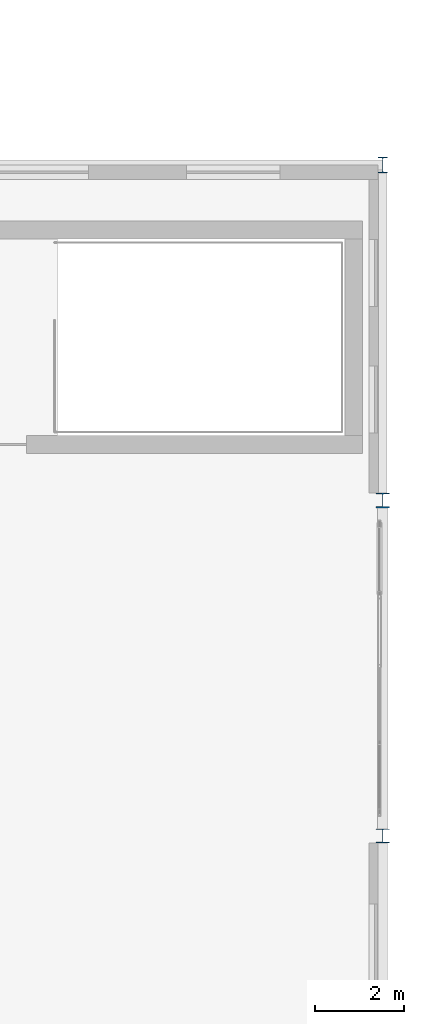
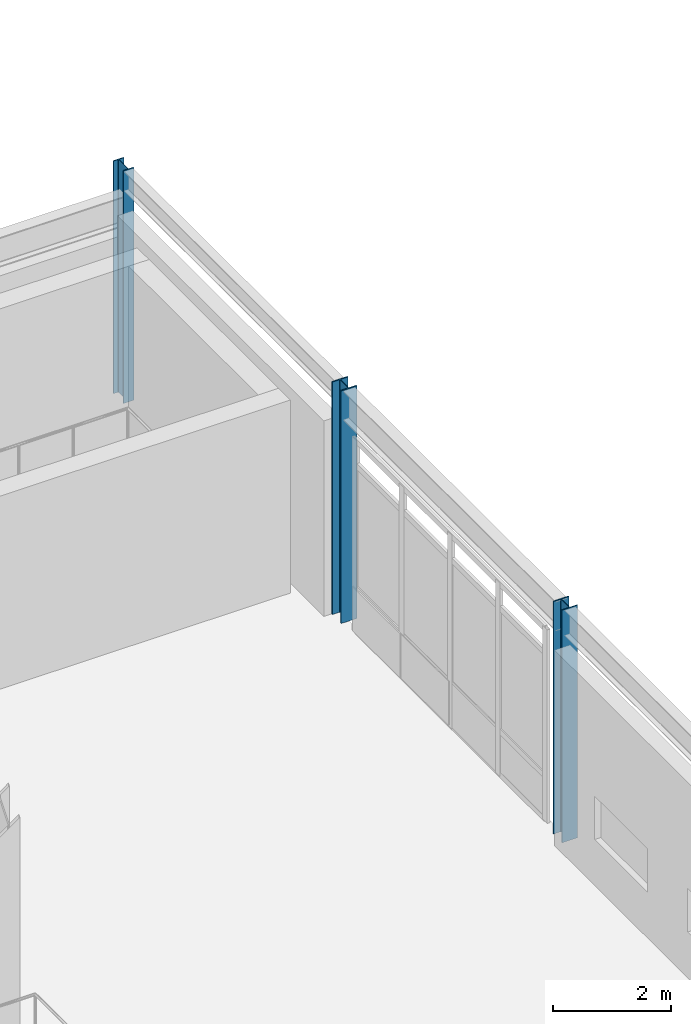
# One storey, part 5 of 56: 3 columns.
"""IFC4 building model written with IfcOpenShell, lengths in metres."""

from ifc_helpers import new_model, si_unit, direction, frame, origin, origin_2d, place, context, subcontext, project, spatial, i_section, extrude, material, material_profile, profile_set, type_object, element, save


model = new_model("IFC4")

# Units and contexts
model_context = context("Model", 3, precision=1e-05, world=origin(), true_north=direction((0.0, 1.0)))
body_context = subcontext(model_context, "Body", "Model", "MODEL_VIEW")
ifc_project = project(units=[si_unit("LENGTHUNIT", "METRE"), si_unit("AREAUNIT", "SQUARE_METRE"), si_unit("VOLUMEUNIT", "CUBIC_METRE"), si_unit("PLANEANGLEUNIT", "RADIAN"), si_unit("MASSUNIT", "GRAM", prefix="KILO"), si_unit("THERMODYNAMICTEMPERATUREUNIT", "KELVIN"), si_unit("POWERUNIT", "WATT")], contexts=[model_context])

# Site, building, storey
site_placement = place(None, origin())
site = spatial("IfcSite", under=ifc_project, at=site_placement, CompositionType="ELEMENT")
building_placement = place(site_placement, origin())
building = spatial("IfcBuilding", under=site, at=building_placement, Name="Tepalcoro Natatorium and Aquatics Centre", CompositionType="ELEMENT")
storey_placement = place(building_placement, frame((0.0, 0.0, 14.800048828125)))
storey = spatial("IfcBuildingStorey", under=building, at=storey_placement, Name="L03", CompositionType="ELEMENT", Elevation=14.800048828125)

# Columns
ifc_material = material(Name="Steel ASTM A992 Grade 50 (Fy 345 MPa)", Category="steel")
ifc_material_profile_1 = material_profile(ifc_material, i_section(OverallWidth=0.205078125, OverallDepth=0.35302734375, WebThickness=0.009033203125, FlangeThickness=0.01708984375, FilletRadius=0.013916015625, at=origin_2d()), Name="W14X53")
ifc_profile_set_1 = profile_set([ifc_material_profile_1], Name="Steel ASTM A992 Grade 50 (Fy 345 MPa)")
column_type_1 = type_object("IfcColumnType", Name="COL_CHS324x16", PredefinedType="COLUMN", material=ifc_profile_set_1)
column_1_placement = place(storey_placement, frame((176.0, 59.0, 0.0), z_axis=(0.0, 0.0, 1.0), x_axis=(1.0, 0.0, 0.0)))
element("IfcColumn", 1, at=column_1_placement, inside=storey, type_object=column_type_1, Name="V2 L03 Grid Column (176.0, 59.0)", PredefinedType="COLUMN", context=body_context, shape_type="SweptSolid", body=[
    extrude(i_section(OverallWidth=0.205078125, OverallDepth=0.35302734375, WebThickness=0.009033203125, FlangeThickness=0.01708984375, FilletRadius=0.013916015625, at=origin_2d()), origin(), (0.0, 0.0, 1.0), 4.820068359375),
])
ifc_material_profile_2 = material_profile(ifc_material, i_section(OverallWidth=0.31005859375, OverallDepth=0.327880859375, WebThickness=0.014892578125, FlangeThickness=0.02490234375, FilletRadius=0.013916015625, at=origin_2d()), Name="W12X106")
ifc_profile_set_2 = profile_set([ifc_material_profile_2], Name="Steel ASTM A992 Grade 50 (Fy 345 MPa)")
column_type_2 = type_object("IfcColumnType", Name="COL_W12x106", PredefinedType="COLUMN", material=ifc_profile_set_2)
column_2_placement = place(storey_placement, frame((176.0, 51.5, 0.0), z_axis=(0.0, 0.0, 1.0), x_axis=(1.0, 0.0, 0.0)))
element("IfcColumn", 2, at=column_2_placement, inside=storey, type_object=column_type_2, Name="V2 L03 Grid Column (176.0, 51.5)", PredefinedType="COLUMN", context=body_context, shape_type="SweptSolid", body=[
    extrude(i_section(OverallWidth=0.31005859375, OverallDepth=0.327880859375, WebThickness=0.014892578125, FlangeThickness=0.02490234375, FilletRadius=0.013916015625, at=origin_2d()), origin(), (0.0, 0.0, 1.0), 4.820068359375),
])
ifc_material_profile_3 = material_profile(ifc_material, i_section(OverallWidth=0.306884765625, OverallDepth=0.31494140625, WebThickness=0.011962890625, FlangeThickness=0.01904296875, FilletRadius=0.013916015625, at=origin_2d()), Name="W12X79")
ifc_profile_set_3 = profile_set([ifc_material_profile_3], Name="Steel ASTM A992 Grade 50 (Fy 345 MPa)")
column_type_3 = type_object("IfcColumnType", Name="COL_W12x79", PredefinedType="COLUMN", material=ifc_profile_set_3)
column_3_placement = place(storey_placement, frame((176.0, 44.0, 0.0), z_axis=(0.0, 0.0, 1.0), x_axis=(1.0, 0.0, 0.0)))
element("IfcColumn", 3, at=column_3_placement, inside=storey, type_object=column_type_3, Name="V2 L03 Grid Column (176.0, 44.0)", PredefinedType="COLUMN", context=body_context, shape_type="SweptSolid", body=[
    extrude(i_section(OverallWidth=0.306884765625, OverallDepth=0.31494140625, WebThickness=0.011962890625, FlangeThickness=0.01904296875, FilletRadius=0.013916015625, at=origin_2d()), origin(), (0.0, 0.0, 1.0), 4.820068359375),
])

save(model, "model.ifc")
